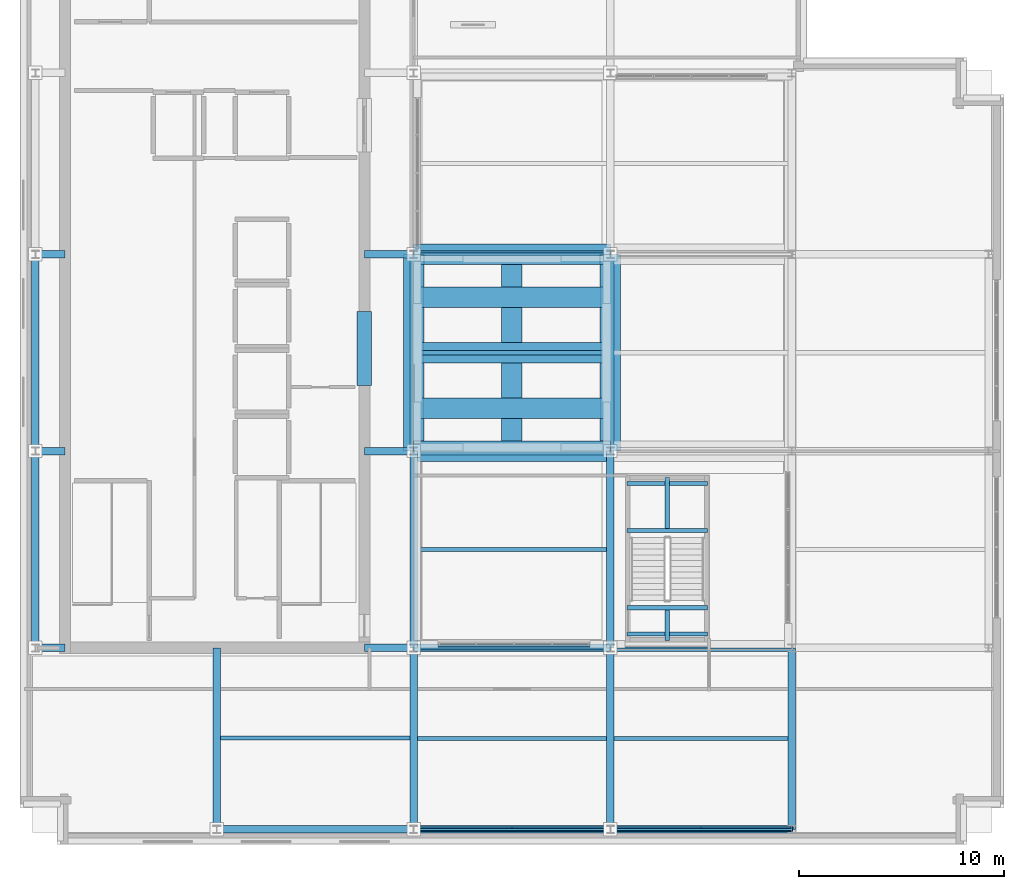
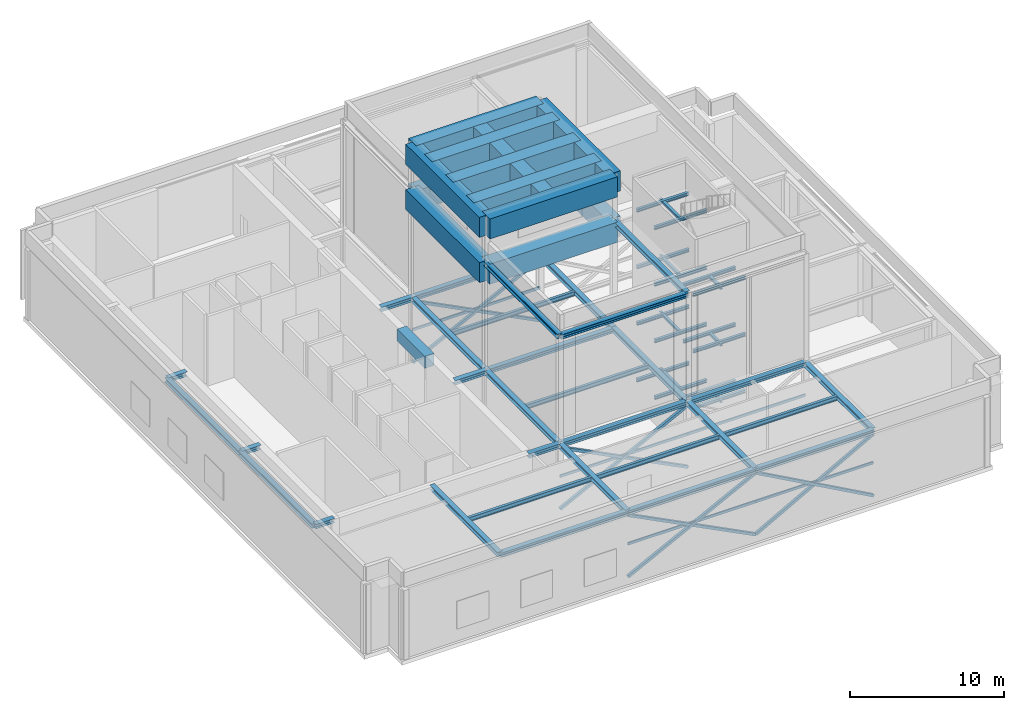
# One storey, part 3 of 17: 65 beams, 13 members.
"""IFC4 building model written with IfcOpenShell, lengths in metres."""

from ifc_helpers import new_model, si_unit, direction, frame, origin, origin_2d, place, context, subcontext, project, spatial, rectangle, hollow_rectangle, i_section, extrude, material, material_profile, profile_set, type_object, element, save


model = new_model("IFC4")

# Units and contexts
model_context = context("Model", 3, precision=1e-05, world=origin(), true_north=direction((0.0, 1.0)))
body_context = subcontext(model_context, "Body", "Model", "MODEL_VIEW")
ifc_project = project(units=[si_unit("LENGTHUNIT", "METRE"), si_unit("AREAUNIT", "SQUARE_METRE"), si_unit("VOLUMEUNIT", "CUBIC_METRE"), si_unit("PLANEANGLEUNIT", "RADIAN"), si_unit("MASSUNIT", "GRAM", prefix="KILO")], contexts=[model_context])

# Site, building, storey
site_placement = place(None, origin())
site = spatial("IfcSite", under=ifc_project, at=site_placement, CompositionType="ELEMENT")
building_placement = place(site_placement, origin())
building = spatial("IfcBuilding", under=site, at=building_placement, Name="Norrvale University Quadrangle", CompositionType="ELEMENT")
storey_placement = place(building_placement, frame((0.0, 0.0, 308.0)))
storey = spatial("IfcBuildingStorey", under=building, at=storey_placement, Name="L78", CompositionType="ELEMENT", Elevation=308.0)

# Beams
ifc_material_1 = material(Name="Concrete C80/95", Category="concrete")
ifc_material_profile_1 = material_profile(ifc_material_1, rectangle(XDim=0.699951171875, YDim=0.949951171875, at=origin_2d()), Name="Concrete C80/95")
ifc_profile_set_1 = profile_set([ifc_material_profile_1], Name="Concrete C80/95")
beam_type_1 = type_object("IfcBeamType", Name="Beam Core Link 700x950", PredefinedType="LINTEL", material=ifc_profile_set_1)
beam_1_placement = place(storey_placement, frame((16.800048828125, 22.39990234375, 5.044921875), z_axis=(0.0, 1.0, 0.0), x_axis=(-1.0, 0.0, 0.0)))
element("IfcBeam", 1, at=beam_1_placement, inside=storey, type_object=beam_type_1, Name="Core Coupling Lintel Beam L78-1", PredefinedType="LINTEL", context=body_context, shape_type="SweptSolid", body=[
    extrude(rectangle(XDim=0.699951171875, YDim=0.949951171875, at=origin_2d()), origin(), (0.0, 0.0, 1.0), 3.60009765625),
])
ifc_material_2 = material(Name="Steel 350W", Category="steel")
ifc_material_profile_2 = material_profile(ifc_material_2, i_section(OverallWidth=0.368896484375, OverallDepth=0.35595703125, WebThickness=0.01123046875, FlangeThickness=0.01806640625, FilletRadius=0.014892578125, at=origin_2d()), Name="Steel 350W")
ifc_profile_set_2 = profile_set([ifc_material_profile_2], Name="Steel 350W")
beam_type_2 = type_object("IfcBeamType", Name="Beam Crown W360x134", PredefinedType="BEAM", material=ifc_profile_set_2)
beam_2_placement = place(storey_placement, frame((9.60009765625, 0.75, 5.342041015625), z_axis=(1.0, 0.0, 0.0), x_axis=(0.0, 1.0, 0.0)))
element("IfcBeam", 2, at=beam_2_placement, inside=storey, type_object=beam_type_2, Name="Beam Crown W360x134 BM-L78-GX001", PredefinedType="BEAM", context=body_context, shape_type="SweptSolid", body=[
    extrude(i_section(OverallWidth=0.368896484375, OverallDepth=0.35595703125, WebThickness=0.01123046875, FlangeThickness=0.01806640625, FilletRadius=0.014892578125, at=origin_2d()), origin(), (0.0, 0.0, 1.0), 9.599853515625),
])
beam_3_placement = place(storey_placement, frame((19.199951171875, 0.75, 5.342041015625), z_axis=(1.0, 0.0, 0.0), x_axis=(0.0, 1.0, 0.0)))
element("IfcBeam", 3, at=beam_3_placement, inside=storey, type_object=beam_type_2, Name="Beam Crown W360x134 BM-L78-GX002", PredefinedType="BEAM", context=body_context, shape_type="SweptSolid", body=[
    extrude(i_section(OverallWidth=0.368896484375, OverallDepth=0.35595703125, WebThickness=0.01123046875, FlangeThickness=0.01806640625, FilletRadius=0.014892578125, at=origin_2d()), origin(), (0.0, 0.0, 1.0), 9.60009765625),
])
beam_4_placement = place(storey_placement, frame((28.800048828125, 0.75, 5.342041015625), z_axis=(1.0, 0.0, 0.0), x_axis=(0.0, 1.0, 0.0)))
element("IfcBeam", 4, at=beam_4_placement, inside=storey, type_object=beam_type_2, Name="Beam Crown W360x134 BM-L78-GX003", PredefinedType="BEAM", context=body_context, shape_type="SweptSolid", body=[
    extrude(i_section(OverallWidth=0.368896484375, OverallDepth=0.35595703125, WebThickness=0.01123046875, FlangeThickness=0.01806640625, FilletRadius=0.014892578125, at=origin_2d()), origin(), (0.0, 0.0, 1.0), 8.849853515625),
])
beam_5_placement = place(storey_placement, frame((19.199951171875, 9.60009765625, 5.342041015625), z_axis=(1.0, 0.0, 0.0), x_axis=(0.0, 1.0, 0.0)))
element("IfcBeam", 5, at=beam_5_placement, inside=storey, type_object=beam_type_2, Name="Beam Crown W360x134 BM-L78-GX004", PredefinedType="BEAM", context=body_context, shape_type="SweptSolid", body=[
    extrude(i_section(OverallWidth=0.368896484375, OverallDepth=0.35595703125, WebThickness=0.01123046875, FlangeThickness=0.01806640625, FilletRadius=0.014892578125, at=origin_2d()), origin(), (0.0, 0.0, 1.0), 9.60009765625),
])
beam_6_placement = place(storey_placement, frame((28.800048828125, 9.60009765625, 5.342041015625), z_axis=(1.0, 0.0, 0.0), x_axis=(0.0, 1.0, 0.0)))
element("IfcBeam", 6, at=beam_6_placement, inside=storey, type_object=beam_type_2, Name="Beam Crown W360x134 BM-L78-GX005", PredefinedType="BEAM", context=body_context, shape_type="SweptSolid", body=[
    extrude(i_section(OverallWidth=0.368896484375, OverallDepth=0.35595703125, WebThickness=0.01123046875, FlangeThickness=0.01806640625, FilletRadius=0.014892578125, at=origin_2d()), origin(), (0.0, 0.0, 1.0), 8.849853515625),
])
for number, where, z_axis, x_axis, name in (
    (7, (19.199951171875, 19.199951171875, 5.342041015625), (1.0, 0.0, 0.0), (0.0, 1.0, 0.0), "Beam Crown W360x134 BM-L78-GX007"),
    (8, (19.199951171875, 28.800048828125, 5.342041015625), (1.0, 0.0, 0.0), (0.0, 1.0, 0.0), "Beam Crown W360x134 BM-L78-GX010"),
):
    element("IfcBeam", number, at=place(storey_placement, frame(where, z_axis=z_axis, x_axis=x_axis)), inside=storey, type_object=beam_type_2, Name=name, PredefinedType="BEAM", context=body_context, shape_type="SweptSolid", body=[
        extrude(i_section(OverallWidth=0.368896484375, OverallDepth=0.35595703125, WebThickness=0.01123046875, FlangeThickness=0.01806640625, FilletRadius=0.014892578125, at=origin_2d()), origin(), (0.0, 0.0, 1.0), 9.60009765625),
    ])
beam_7_placement = place(storey_placement, frame((0.75, 9.60009765625, 5.342041015625), z_axis=(0.0, 1.0, 0.0), x_axis=(-1.0, 0.0, 0.0)))
element("IfcBeam", 9, at=beam_7_placement, inside=storey, type_object=beam_type_2, Name="Beam Crown W360x134 BM-L78-GY016", PredefinedType="BEAM", context=body_context, shape_type="SweptSolid", body=[
    extrude(i_section(OverallWidth=0.368896484375, OverallDepth=0.35595703125, WebThickness=0.01123046875, FlangeThickness=0.01806640625, FilletRadius=0.014892578125, at=origin_2d()), origin(), (0.0, 0.0, 1.0), 9.599853515625),
])
beam_8_placement = place(storey_placement, frame((0.75, 19.199951171875, 5.342041015625), z_axis=(0.0, 1.0, 0.0), x_axis=(-1.0, 0.0, 0.0)))
element("IfcBeam", 10, at=beam_8_placement, inside=storey, type_object=beam_type_2, Name="Beam Crown W360x134 BM-L78-GY017", PredefinedType="BEAM", context=body_context, shape_type="SweptSolid", body=[
    extrude(i_section(OverallWidth=0.368896484375, OverallDepth=0.35595703125, WebThickness=0.01123046875, FlangeThickness=0.01806640625, FilletRadius=0.014892578125, at=origin_2d()), origin(), (0.0, 0.0, 1.0), 9.60009765625),
])
beam_9_placement = place(storey_placement, frame((19.199951171875, 0.75, 5.342041015625), z_axis=(0.0, 1.0, 0.0), x_axis=(-1.0, 0.0, 0.0)))
element("IfcBeam", 11, at=beam_9_placement, inside=storey, type_object=beam_type_2, Name="Beam Crown W360x134 BM-L78-GY019", PredefinedType="BEAM", context=body_context, shape_type="SweptSolid", body=[
    extrude(i_section(OverallWidth=0.368896484375, OverallDepth=0.35595703125, WebThickness=0.01123046875, FlangeThickness=0.01806640625, FilletRadius=0.014892578125, at=origin_2d()), origin(), (0.0, 0.0, 1.0), 8.85009765625),
])
beam_10_placement = place(storey_placement, frame((19.199951171875, 9.60009765625, 5.342041015625), z_axis=(0.0, 1.0, 0.0), x_axis=(-1.0, 0.0, 0.0)))
element("IfcBeam", 12, at=beam_10_placement, inside=storey, type_object=beam_type_2, Name="Beam Crown W360x134 BM-L78-GY020", PredefinedType="BEAM", context=body_context, shape_type="SweptSolid", body=[
    extrude(i_section(OverallWidth=0.368896484375, OverallDepth=0.35595703125, WebThickness=0.01123046875, FlangeThickness=0.01806640625, FilletRadius=0.014892578125, at=origin_2d()), origin(), (0.0, 0.0, 1.0), 9.599853515625),
])
beam_11_placement = place(storey_placement, frame((19.199951171875, 19.199951171875, 5.342041015625), z_axis=(0.0, 1.0, 0.0), x_axis=(-1.0, 0.0, 0.0)))
element("IfcBeam", 13, at=beam_11_placement, inside=storey, type_object=beam_type_2, Name="Beam Crown W360x134 BM-L78-GY021", PredefinedType="BEAM", context=body_context, shape_type="SweptSolid", body=[
    extrude(i_section(OverallWidth=0.368896484375, OverallDepth=0.35595703125, WebThickness=0.01123046875, FlangeThickness=0.01806640625, FilletRadius=0.014892578125, at=origin_2d()), origin(), (0.0, 0.0, 1.0), 9.60009765625),
])
beam_12_placement = place(storey_placement, frame((28.800048828125, 0.75, 5.342041015625), z_axis=(0.0, 1.0, 0.0), x_axis=(-1.0, 0.0, 0.0)))
element("IfcBeam", 14, at=beam_12_placement, inside=storey, type_object=beam_type_2, Name="Beam Crown W360x134 BM-L78-GY024", PredefinedType="BEAM", context=body_context, shape_type="SweptSolid", body=[
    extrude(i_section(OverallWidth=0.368896484375, OverallDepth=0.35595703125, WebThickness=0.01123046875, FlangeThickness=0.01806640625, FilletRadius=0.014892578125, at=origin_2d()), origin(), (0.0, 0.0, 1.0), 8.85009765625),
])
beam_13_placement = place(storey_placement, frame((28.800048828125, 9.60009765625, 5.342041015625), z_axis=(0.0, 1.0, 0.0), x_axis=(-1.0, 0.0, 0.0)))
element("IfcBeam", 15, at=beam_13_placement, inside=storey, type_object=beam_type_2, Name="Beam Crown W360x134 BM-L78-GY025", PredefinedType="BEAM", context=body_context, shape_type="SweptSolid", body=[
    extrude(i_section(OverallWidth=0.368896484375, OverallDepth=0.35595703125, WebThickness=0.01123046875, FlangeThickness=0.01806640625, FilletRadius=0.014892578125, at=origin_2d()), origin(), (0.0, 0.0, 1.0), 9.599853515625),
])
beam_14_placement = place(storey_placement, frame((28.800048828125, 19.199951171875, 5.342041015625), z_axis=(0.0, 1.0, 0.0), x_axis=(-1.0, 0.0, 0.0)))
element("IfcBeam", 16, at=beam_14_placement, inside=storey, type_object=beam_type_2, Name="Beam Crown W360x134 BM-L78-GY026", PredefinedType="BEAM", context=body_context, shape_type="SweptSolid", body=[
    extrude(i_section(OverallWidth=0.368896484375, OverallDepth=0.35595703125, WebThickness=0.01123046875, FlangeThickness=0.01806640625, FilletRadius=0.014892578125, at=origin_2d()), origin(), (0.0, 0.0, 1.0), 9.60009765625),
])
beam_15_placement = place(storey_placement, frame((37.64990234375, 0.75, 5.342041015625), z_axis=(0.0, 1.0, 0.0), x_axis=(-1.0, 0.0, 0.0)))
element("IfcBeam", 17, at=beam_15_placement, inside=storey, type_object=beam_type_2, Name="Beam Crown W360x134 BM-L78-GY029", PredefinedType="BEAM", context=body_context, shape_type="SweptSolid", body=[
    extrude(i_section(OverallWidth=0.368896484375, OverallDepth=0.35595703125, WebThickness=0.01123046875, FlangeThickness=0.01806640625, FilletRadius=0.014892578125, at=origin_2d()), origin(), (0.0, 0.0, 1.0), 8.85009765625),
])
beam_16_placement = place(storey_placement, frame((0.75, 9.60009765625, 5.342041015625), z_axis=(1.0, 0.0, 0.0), x_axis=(0.0, 1.0, 0.0)))
element("IfcBeam", 18, at=beam_16_placement, inside=storey, type_object=beam_type_2, Name="Beam Crown W360x134 BM-L78-GCW035", PredefinedType="BEAM", context=body_context, shape_type="SweptSolid", body=[
    extrude(i_section(OverallWidth=0.368896484375, OverallDepth=0.35595703125, WebThickness=0.01123046875, FlangeThickness=0.01806640625, FilletRadius=0.014892578125, at=origin_2d()), origin(), (0.0, 0.0, 1.0), 1.449951171875),
])
beam_17_placement = place(storey_placement, frame((16.800048828125, 9.60009765625, 5.342041015625), z_axis=(1.0, 0.0, 0.0), x_axis=(0.0, 1.0, 0.0)))
element("IfcBeam", 19, at=beam_17_placement, inside=storey, type_object=beam_type_2, Name="Beam Crown W360x134 BM-L78-GCE036", PredefinedType="BEAM", context=body_context, shape_type="SweptSolid", body=[
    extrude(i_section(OverallWidth=0.368896484375, OverallDepth=0.35595703125, WebThickness=0.01123046875, FlangeThickness=0.01806640625, FilletRadius=0.014892578125, at=origin_2d()), origin(), (0.0, 0.0, 1.0), 2.39990234375),
])
beam_18_placement = place(storey_placement, frame((0.75, 19.199951171875, 5.342041015625), z_axis=(1.0, 0.0, 0.0), x_axis=(0.0, 1.0, 0.0)))
element("IfcBeam", 20, at=beam_18_placement, inside=storey, type_object=beam_type_2, Name="Beam Crown W360x134 BM-L78-GCW037", PredefinedType="BEAM", context=body_context, shape_type="SweptSolid", body=[
    extrude(i_section(OverallWidth=0.368896484375, OverallDepth=0.35595703125, WebThickness=0.01123046875, FlangeThickness=0.01806640625, FilletRadius=0.014892578125, at=origin_2d()), origin(), (0.0, 0.0, 1.0), 1.449951171875),
])
beam_19_placement = place(storey_placement, frame((16.800048828125, 19.199951171875, 5.342041015625), z_axis=(1.0, 0.0, 0.0), x_axis=(0.0, 1.0, 0.0)))
element("IfcBeam", 21, at=beam_19_placement, inside=storey, type_object=beam_type_2, Name="Beam Crown W360x134 BM-L78-GCE038", PredefinedType="BEAM", context=body_context, shape_type="SweptSolid", body=[
    extrude(i_section(OverallWidth=0.368896484375, OverallDepth=0.35595703125, WebThickness=0.01123046875, FlangeThickness=0.01806640625, FilletRadius=0.014892578125, at=origin_2d()), origin(), (0.0, 0.0, 1.0), 2.39990234375),
])
beam_20_placement = place(storey_placement, frame((0.75, 28.800048828125, 5.342041015625), z_axis=(1.0, 0.0, 0.0), x_axis=(0.0, 1.0, 0.0)))
element("IfcBeam", 22, at=beam_20_placement, inside=storey, type_object=beam_type_2, Name="Beam Crown W360x134 BM-L78-GCW039", PredefinedType="BEAM", context=body_context, shape_type="SweptSolid", body=[
    extrude(i_section(OverallWidth=0.368896484375, OverallDepth=0.35595703125, WebThickness=0.01123046875, FlangeThickness=0.01806640625, FilletRadius=0.014892578125, at=origin_2d()), origin(), (0.0, 0.0, 1.0), 1.449951171875),
])
beam_21_placement = place(storey_placement, frame((16.800048828125, 28.800048828125, 5.342041015625), z_axis=(1.0, 0.0, 0.0), x_axis=(0.0, 1.0, 0.0)))
element("IfcBeam", 23, at=beam_21_placement, inside=storey, type_object=beam_type_2, Name="Beam Crown W360x134 BM-L78-GCE040", PredefinedType="BEAM", context=body_context, shape_type="SweptSolid", body=[
    extrude(i_section(OverallWidth=0.368896484375, OverallDepth=0.35595703125, WebThickness=0.01123046875, FlangeThickness=0.01806640625, FilletRadius=0.014892578125, at=origin_2d()), origin(), (0.0, 0.0, 1.0), 2.39990234375),
])
beam_22_placement = place(storey_placement, frame((9.60009765625, 0.75, 5.342041015625), z_axis=(0.0, 1.0, 0.0), x_axis=(-1.0, 0.0, 0.0)))
element("IfcBeam", 24, at=beam_22_placement, inside=storey, type_object=beam_type_2, Name="Beam Crown W360x134 BM-L78-GCS054", PredefinedType="BEAM", context=body_context, shape_type="SweptSolid", body=[
    extrude(i_section(OverallWidth=0.368896484375, OverallDepth=0.35595703125, WebThickness=0.01123046875, FlangeThickness=0.01806640625, FilletRadius=0.014892578125, at=origin_2d()), origin(), (0.0, 0.0, 1.0), 8.85009765625),
])
beam_23_placement = place(storey_placement, frame((19.199951171875, 9.60009765625, 13.94189453125), z_axis=(1.0, 0.0, 0.0), x_axis=(0.0, 1.0, 0.0)))
element("IfcBeam", 25, at=beam_23_placement, inside=storey, type_object=beam_type_2, Name="Crown Lantern Roof Girder X01", PredefinedType="BEAM", context=body_context, shape_type="SweptSolid", body=[
    extrude(i_section(OverallWidth=0.368896484375, OverallDepth=0.35595703125, WebThickness=0.01123046875, FlangeThickness=0.01806640625, FilletRadius=0.014892578125, at=origin_2d()), origin(), (0.0, 0.0, 1.0), 9.60009765625),
])
for number, where, z_axis, x_axis, name in (
    (26, (19.199951171875, 9.60009765625, 13.94189453125), (0.0, 1.0, 0.0), (-1.0, 0.0, 0.0), "Crown Lantern Roof Girder Y09"),
    (27, (28.800048828125, 9.60009765625, 13.94189453125), (0.0, 1.0, 0.0), (-1.0, 0.0, 0.0), "Crown Lantern Roof Girder Y12"),
):
    element("IfcBeam", number, at=place(storey_placement, frame(where, z_axis=z_axis, x_axis=x_axis)), inside=storey, type_object=beam_type_2, Name=name, PredefinedType="BEAM", context=body_context, shape_type="SweptSolid", body=[
        extrude(i_section(OverallWidth=0.368896484375, OverallDepth=0.35595703125, WebThickness=0.01123046875, FlangeThickness=0.01806640625, FilletRadius=0.014892578125, at=origin_2d()), origin(), (0.0, 0.0, 1.0), 9.599853515625),
    ])
ifc_material_profile_3 = material_profile(ifc_material_2, i_section(OverallWidth=0.205078125, OverallDepth=0.35400390625, WebThickness=0.009521484375, FlangeThickness=0.016845703125, FilletRadius=0.011962890625, at=origin_2d()), Name="Steel 350W")
ifc_profile_set_3 = profile_set([ifc_material_profile_3], Name="Steel 350W")
beam_type_3 = type_object("IfcBeamType", Name="Beam Crown W360x79", PredefinedType="BEAM", material=ifc_profile_set_3)
for number, where, z_axis, x_axis, name in (
    (28, (19.384521484375, 5.175048828125, 5.343017578125), (1.0, 0.0, 0.0), (0.0, 1.0, 0.0), "Beam Crown W360x79 BM-L78-J044"),
    (29, (19.384521484375, 14.39990234375, 5.343017578125), (1.0, 0.0, 0.0), (0.0, 1.0, 0.0), "Beam Crown W360x79 BM-L78-J045"),
    (30, (19.384521484375, 24.0, 5.343017578125), (1.0, 0.0, 0.0), (0.0, 1.0, 0.0), "Beam Crown W360x79 BM-L78-J046"),
):
    element("IfcBeam", number, at=place(storey_placement, frame(where, z_axis=z_axis, x_axis=x_axis)), inside=storey, type_object=beam_type_3, Name=name, PredefinedType="BEAM", context=body_context, shape_type="SweptSolid", body=[
        extrude(i_section(OverallWidth=0.205078125, OverallDepth=0.35400390625, WebThickness=0.009521484375, FlangeThickness=0.016845703125, FilletRadius=0.011962890625, at=origin_2d()), origin(), (0.0, 0.0, 1.0), 9.23095703125),
    ])
beam_24_placement = place(storey_placement, frame((28.984619140625, 5.175048828125, 5.343017578125), z_axis=(1.0, 0.0, 0.0), x_axis=(0.0, 1.0, 0.0)))
element("IfcBeam", 31, at=beam_24_placement, inside=storey, type_object=beam_type_3, Name="Beam Crown W360x79 BM-L78-J049", PredefinedType="BEAM", context=body_context, shape_type="SweptSolid", body=[
    extrude(i_section(OverallWidth=0.205078125, OverallDepth=0.35400390625, WebThickness=0.009521484375, FlangeThickness=0.016845703125, FilletRadius=0.011962890625, at=origin_2d()), origin(), (0.0, 0.0, 1.0), 8.48095703125),
])
beam_25_placement = place(storey_placement, frame((9.784423828125, 5.199951171875, 5.343017578125), z_axis=(1.0, 0.0, 0.0), x_axis=(0.0, 1.0, 0.0)))
element("IfcBeam", 32, at=beam_25_placement, inside=storey, type_object=beam_type_3, Name="Beam Crown W360x79 BM-L78-JCS055", PredefinedType="BEAM", context=body_context, shape_type="SweptSolid", body=[
    extrude(i_section(OverallWidth=0.205078125, OverallDepth=0.35400390625, WebThickness=0.009521484375, FlangeThickness=0.016845703125, FilletRadius=0.011962890625, at=origin_2d()), origin(), (0.0, 0.0, 1.0), 9.23095703125),
])
ifc_material_profile_4 = material_profile(ifc_material_2, i_section(OverallWidth=0.201904296875, OverallDepth=0.2470703125, WebThickness=0.00732421875, FlangeThickness=0.010986328125, FilletRadius=0.011962890625, at=origin_2d()), Name="Steel 350W")
ifc_profile_set_4 = profile_set([ifc_material_profile_4], Name="Steel 350W")
beam_type_4 = type_object("IfcBeamType", Name="Beam Stair W250x49", PredefinedType="BEAM", material=ifc_profile_set_4)
for number, where, z_axis, x_axis, name in (
    (33, (29.610107421875, 15.320068359375, 1.926513671875), (1.0, 0.0, 0.0), (0.0, 1.0, 0.0), "Crown Stair Landing 1 Beam A ST-04"),
    (34, (29.610107421875, 17.6201171875, 1.926513671875), (1.0, 0.0, 0.0), (0.0, 1.0, 0.0), "Crown Stair Landing 1 Beam B ST-04"),
    (35, (29.610107421875, 10.280029296875, 4.176513671875), (1.0, 0.0, 0.0), (0.0, 1.0, 0.0), "Crown Stair Landing 2 Beam A ST-04"),
    (36, (29.610107421875, 11.56005859375, 4.176513671875), (1.0, 0.0, 0.0), (0.0, 1.0, 0.0), "Crown Stair Landing 2 Beam B ST-04"),
    (37, (29.610107421875, 15.320068359375, 6.426513671875), (1.0, 0.0, 0.0), (0.0, 1.0, 0.0), "Crown Stair Landing 3 Beam A ST-04"),
    (38, (29.610107421875, 17.6201171875, 6.426513671875), (1.0, 0.0, 0.0), (0.0, 1.0, 0.0), "Crown Stair Landing 3 Beam B ST-04"),
    (39, (29.610107421875, 10.280029296875, 8.676513671875), (1.0, 0.0, 0.0), (0.0, 1.0, 0.0), "Crown Stair Landing 4 Beam A ST-04"),
    (40, (29.610107421875, 11.56005859375, 8.676513671875), (1.0, 0.0, 0.0), (0.0, 1.0, 0.0), "Crown Stair Landing 4 Beam B ST-04"),
    (41, (29.610107421875, 15.320068359375, 10.926513671875), (1.0, 0.0, 0.0), (0.0, 1.0, 0.0), "Crown Stair Landing 5 Beam A ST-04"),
    (42, (29.610107421875, 17.6201171875, 10.926513671875), (1.0, 0.0, 0.0), (0.0, 1.0, 0.0), "Crown Stair Landing 5 Beam B ST-04"),
    (43, (29.610107421875, 10.280029296875, 13.176513671875), (1.0, 0.0, 0.0), (0.0, 1.0, 0.0), "Crown Stair Landing 6 Beam A ST-04"),
    (44, (29.610107421875, 11.56005859375, 13.176513671875), (1.0, 0.0, 0.0), (0.0, 1.0, 0.0), "Crown Stair Landing 6 Beam B ST-04"),
    (45, (29.610107421875, 15.320068359375, 15.426513671875), (1.0, 0.0, 0.0), (0.0, 1.0, 0.0), "Crown Stair Landing 7 Beam A ST-04"),
    (46, (29.610107421875, 17.6201171875, 15.426513671875), (1.0, 0.0, 0.0), (0.0, 1.0, 0.0), "Crown Stair Landing 7 Beam B ST-04"),
):
    element("IfcBeam", number, at=place(storey_placement, frame(where, z_axis=z_axis, x_axis=x_axis)), inside=storey, type_object=beam_type_4, Name=name, PredefinedType="BEAM", context=body_context, shape_type="SweptSolid", body=[
        extrude(i_section(OverallWidth=0.201904296875, OverallDepth=0.2470703125, WebThickness=0.00732421875, FlangeThickness=0.010986328125, FilletRadius=0.011962890625, at=origin_2d()), origin(), (0.0, 0.0, 1.0), 3.929931640625),
    ])
ifc_material_profile_5 = material_profile(ifc_material_1, rectangle(XDim=1.0, YDim=1.60009765625, at=origin_2d()), Name="Concrete C80/95")
ifc_profile_set_5 = profile_set([ifc_material_profile_5], Name="Concrete C80/95")
beam_type_5 = type_object("IfcBeamType", Name="Beam Transfer 1000x1600", PredefinedType="USERDEFINED", material=ifc_profile_set_5)
for number, where, z_axis, x_axis, name in (
    (47, (19.199951171875, 19.199951171875, 13.320068359375), (1.0, 0.0, 0.0), (0.0, 1.0, 0.0), "Crown Lantern Roof Girder X03"),
    (48, (19.199951171875, 28.800048828125, 13.320068359375), (1.0, 0.0, 0.0), (0.0, 1.0, 0.0), "Crown Lantern Roof Girder X05"),
    (49, (19.199951171875, 19.199951171875, 13.320068359375), (0.0, 1.0, 0.0), (-1.0, 0.0, 0.0), "Crown Lantern Roof Girder Y10"),
    (50, (28.800048828125, 19.199951171875, 13.320068359375), (0.0, 1.0, 0.0), (-1.0, 0.0, 0.0), "Crown Lantern Roof Girder Y13"),
    (51, (19.199951171875, 19.199951171875, 16.919921875), (1.0, 0.0, 0.0), (0.0, 1.0, 0.0), "Crown Plinth Ring Transfer Girder 1"),
    (52, (28.800048828125, 19.199951171875, 16.919921875), (0.0, 1.0, 0.0), (-1.0, 0.0, 0.0), "Crown Plinth Ring Transfer Girder 2"),
    (53, (28.800048828125, 28.800048828125, 16.919921875), (-1.0, 0.0, 0.0), (0.0, -1.0, 0.0), "Crown Plinth Ring Transfer Girder 3"),
    (54, (19.199951171875, 28.800048828125, 16.919921875), (0.0, -1.0, 0.0), (1.0, 0.0, 0.0), "Crown Plinth Ring Transfer Girder 4"),
    (55, (19.199951171875, 24.0, 16.919921875), (1.0, 0.0, 0.0), (0.0, 1.0, 0.0), "Spire Central Transfer Girder X"),
    (56, (24.0, 19.199951171875, 16.919921875), (0.0, 1.0, 0.0), (-1.0, 0.0, 0.0), "Spire Central Transfer Girder Y"),
    (57, (19.199951171875, 21.300048828125, 16.919921875), (1.0, 0.0, 0.0), (0.0, 1.0, 0.0), "Spire Pylon Transfer Girder 1"),
    (58, (19.199951171875, 26.699951171875, 16.919921875), (1.0, 0.0, 0.0), (0.0, 1.0, 0.0), "Spire Pylon Transfer Girder 2"),
):
    element("IfcBeam", number, at=place(storey_placement, frame(where, z_axis=z_axis, x_axis=x_axis)), inside=storey, type_object=beam_type_5, Name=name, ObjectType="TRANSFER GIRDER", PredefinedType="USERDEFINED", context=body_context, shape_type="SweptSolid", body=[
        extrude(rectangle(XDim=1.0, YDim=1.60009765625, at=origin_2d()), origin(), (0.0, 0.0, 1.0), 9.60009765625),
    ])
ifc_material_profile_6 = material_profile(ifc_material_2, i_section(OverallWidth=0.202880859375, OverallDepth=0.202880859375, WebThickness=0.007080078125, FlangeThickness=0.010986328125, FilletRadius=0.010009765625, at=origin_2d()), Name="Steel 350W")
ifc_profile_set_6 = profile_set([ifc_material_profile_6], Name="Steel 350W")
beam_type_6 = type_object("IfcBeamType", Name="Beam Trim W200x46", PredefinedType="BEAM", material=ifc_profile_set_6)
beam_26_placement = place(storey_placement, frame((31.574951171875, 15.425048828125, 1.948486328125), z_axis=(0.0, 1.0, 0.0), x_axis=(-1.0, 0.0, 0.0)))
element("IfcBeam", 59, at=beam_26_placement, inside=storey, type_object=beam_type_6, Name="Crown Stair Landing 1 Cross Beam ST-04", PredefinedType="BEAM", context=body_context, shape_type="SweptSolid", body=[
    extrude(i_section(OverallWidth=0.202880859375, OverallDepth=0.202880859375, WebThickness=0.007080078125, FlangeThickness=0.010986328125, FilletRadius=0.010009765625, at=origin_2d()), origin(), (0.0, 0.0, 1.0), 2.514892578125),
])
beam_27_placement = place(storey_placement, frame((31.574951171875, 9.9599609375, 4.198486328125), z_axis=(0.0, 1.0, 0.0), x_axis=(-1.0, 0.0, 0.0)))
element("IfcBeam", 60, at=beam_27_placement, inside=storey, type_object=beam_type_6, Name="Crown Stair Landing 2 Cross Beam ST-04", PredefinedType="BEAM", context=body_context, shape_type="SweptSolid", body=[
    extrude(i_section(OverallWidth=0.202880859375, OverallDepth=0.202880859375, WebThickness=0.007080078125, FlangeThickness=0.010986328125, FilletRadius=0.010009765625, at=origin_2d()), origin(), (0.0, 0.0, 1.0), 1.4951171875),
])
beam_28_placement = place(storey_placement, frame((31.574951171875, 15.425048828125, 6.448486328125), z_axis=(0.0, 1.0, 0.0), x_axis=(-1.0, 0.0, 0.0)))
element("IfcBeam", 61, at=beam_28_placement, inside=storey, type_object=beam_type_6, Name="Crown Stair Landing 3 Cross Beam ST-04", PredefinedType="BEAM", context=body_context, shape_type="SweptSolid", body=[
    extrude(i_section(OverallWidth=0.202880859375, OverallDepth=0.202880859375, WebThickness=0.007080078125, FlangeThickness=0.010986328125, FilletRadius=0.010009765625, at=origin_2d()), origin(), (0.0, 0.0, 1.0), 2.514892578125),
])
beam_29_placement = place(storey_placement, frame((31.574951171875, 9.9599609375, 8.698486328125), z_axis=(0.0, 1.0, 0.0), x_axis=(-1.0, 0.0, 0.0)))
element("IfcBeam", 62, at=beam_29_placement, inside=storey, type_object=beam_type_6, Name="Crown Stair Landing 4 Cross Beam ST-04", PredefinedType="BEAM", context=body_context, shape_type="SweptSolid", body=[
    extrude(i_section(OverallWidth=0.202880859375, OverallDepth=0.202880859375, WebThickness=0.007080078125, FlangeThickness=0.010986328125, FilletRadius=0.010009765625, at=origin_2d()), origin(), (0.0, 0.0, 1.0), 1.4951171875),
])
beam_30_placement = place(storey_placement, frame((31.574951171875, 15.425048828125, 10.948486328125), z_axis=(0.0, 1.0, 0.0), x_axis=(-1.0, 0.0, 0.0)))
element("IfcBeam", 63, at=beam_30_placement, inside=storey, type_object=beam_type_6, Name="Crown Stair Landing 5 Cross Beam ST-04", PredefinedType="BEAM", context=body_context, shape_type="SweptSolid", body=[
    extrude(i_section(OverallWidth=0.202880859375, OverallDepth=0.202880859375, WebThickness=0.007080078125, FlangeThickness=0.010986328125, FilletRadius=0.010009765625, at=origin_2d()), origin(), (0.0, 0.0, 1.0), 2.514892578125),
])
beam_31_placement = place(storey_placement, frame((31.574951171875, 9.9599609375, 13.198486328125), z_axis=(0.0, 1.0, 0.0), x_axis=(-1.0, 0.0, 0.0)))
element("IfcBeam", 64, at=beam_31_placement, inside=storey, type_object=beam_type_6, Name="Crown Stair Landing 6 Cross Beam ST-04", PredefinedType="BEAM", context=body_context, shape_type="SweptSolid", body=[
    extrude(i_section(OverallWidth=0.202880859375, OverallDepth=0.202880859375, WebThickness=0.007080078125, FlangeThickness=0.010986328125, FilletRadius=0.010009765625, at=origin_2d()), origin(), (0.0, 0.0, 1.0), 1.4951171875),
])
beam_32_placement = place(storey_placement, frame((31.574951171875, 15.425048828125, 15.448486328125), z_axis=(0.0, 1.0, 0.0), x_axis=(-1.0, 0.0, 0.0)))
element("IfcBeam", 65, at=beam_32_placement, inside=storey, type_object=beam_type_6, Name="Crown Stair Landing 7 Cross Beam ST-04", PredefinedType="BEAM", context=body_context, shape_type="SweptSolid", body=[
    extrude(i_section(OverallWidth=0.202880859375, OverallDepth=0.202880859375, WebThickness=0.007080078125, FlangeThickness=0.010986328125, FilletRadius=0.010009765625, at=origin_2d()), origin(), (0.0, 0.0, 1.0), 2.514892578125),
])

# Members
ifc_material_profile_7 = material_profile(ifc_material_2, hollow_rectangle(XDim=0.202880859375, YDim=0.202880859375, WallThickness=0.010009765625, at=origin_2d()), Name="Steel 350W")
ifc_profile_set_7 = profile_set([ifc_material_profile_7], Name="Steel 350W")
member_type_1 = type_object("IfcMemberType", Name="Member Crown Brace HSS203", PredefinedType="BRACE", material=ifc_profile_set_7)
for number, where, z_axis, x_axis, name in (
    (66, (19.199951171875, 0.75, 0.199951171875), (0.890681574353, 0.0, 0.454627686253), (0.0, 1.0, 0.0), "Crown Lateral Brace 1.1A"),
    (67, (28.800048828125, 0.75, 0.199951171875), (-0.890681574353, 0.0, 0.454627686253), (0.0, -1.0, 0.0), "Crown Counter Brace 1.1B"),
):
    element("IfcMember", number, at=place(storey_placement, frame(where, z_axis=z_axis, x_axis=x_axis)), inside=storey, type_object=member_type_1, Name=name, PredefinedType="BRACE", context=body_context, shape_type="SweptSolid", body=[
        extrude(hollow_rectangle(XDim=0.202880859375, YDim=0.202880859375, WallThickness=0.010009765625, at=origin_2d()), origin(), (0.0, 0.0, 1.0), 10.7783203125),
    ])
for number, where, z_axis, x_axis, name in (
    (68, (28.800048828125, 0.75, 0.199951171875), (0.874846272408, 0.0, 0.484400660253), (0.0, 1.0, 0.0), "Crown Lateral Brace 1.2A"),
    (69, (37.64990234375, 0.75, 0.199951171875), (-0.874846272408, 0.0, 0.484400660253), (0.0, -1.0, 0.0), "Crown Counter Brace 1.2B"),
):
    element("IfcMember", number, at=place(storey_placement, frame(where, z_axis=z_axis, x_axis=x_axis)), inside=storey, type_object=member_type_1, Name=name, PredefinedType="BRACE", context=body_context, shape_type="SweptSolid", body=[
        extrude(hollow_rectangle(XDim=0.202880859375, YDim=0.202880859375, WallThickness=0.010009765625, at=origin_2d()), origin(), (0.0, 0.0, 1.0), 10.115966796875),
    ])
for number, where, z_axis, x_axis, name in (
    (70, (19.199951171875, 9.60009765625, 0.199951171875), (0.890681574353, 0.0, 0.454627686253), (0.0, 1.0, 0.0), "Crown Lateral Brace 2.1A"),
    (71, (28.800048828125, 9.60009765625, 0.199951171875), (-0.890681574353, 0.0, 0.454627686253), (0.0, -1.0, 0.0), "Crown Counter Brace 2.1B"),
    (72, (19.199951171875, 28.800048828125, 0.199951171875), (0.890681574353, 0.0, 0.454627686253), (0.0, 1.0, 0.0), "Crown Lateral Brace 3.1A"),
    (73, (28.800048828125, 28.800048828125, 0.199951171875), (-0.890681574353, 0.0, 0.454627686253), (0.0, -1.0, 0.0), "Crown Counter Brace 3.1B"),
):
    element("IfcMember", number, at=place(storey_placement, frame(where, z_axis=z_axis, x_axis=x_axis)), inside=storey, type_object=member_type_1, Name=name, PredefinedType="BRACE", context=body_context, shape_type="SweptSolid", body=[
        extrude(hollow_rectangle(XDim=0.202880859375, YDim=0.202880859375, WallThickness=0.010009765625, at=origin_2d()), origin(), (0.0, 0.0, 1.0), 10.7783203125),
    ])
ifc_material_profile_8 = material_profile(ifc_material_2, hollow_rectangle(XDim=0.10205078125, YDim=0.202880859375, WallThickness=0.008056640625, at=origin_2d()), Name="Steel 350W")
ifc_profile_set_8 = profile_set([ifc_material_profile_8], Name="Steel 350W")
member_type_2 = type_object("IfcMemberType", Name="Member Girt HSS203x102", PredefinedType="STRINGER", material=ifc_profile_set_8)
member_1_placement = place(storey_placement, frame((19.199951171875, 0.75, 2.800048828125), z_axis=(1.0, 0.0, 0.0), x_axis=(0.0, 1.0, 0.0)))
element("IfcMember", 74, at=member_1_placement, inside=storey, type_object=member_type_2, Name="Crown Enclosure Girt 1.1", PredefinedType="STRINGER", context=body_context, shape_type="SweptSolid", body=[
    extrude(hollow_rectangle(XDim=0.10205078125, YDim=0.202880859375, WallThickness=0.008056640625, at=origin_2d()), origin(), (0.0, 0.0, 1.0), 9.60009765625),
])
member_2_placement = place(storey_placement, frame((28.800048828125, 0.75, 2.800048828125), z_axis=(1.0, 0.0, 0.0), x_axis=(0.0, 1.0, 0.0)))
element("IfcMember", 75, at=member_2_placement, inside=storey, type_object=member_type_2, Name="Crown Enclosure Girt 1.2", PredefinedType="STRINGER", context=body_context, shape_type="SweptSolid", body=[
    extrude(hollow_rectangle(XDim=0.10205078125, YDim=0.202880859375, WallThickness=0.008056640625, at=origin_2d()), origin(), (0.0, 0.0, 1.0), 8.849853515625),
])
member_3_placement = place(storey_placement, frame((19.199951171875, 9.60009765625, 2.800048828125), z_axis=(1.0, 0.0, 0.0), x_axis=(0.0, 1.0, 0.0)))
element("IfcMember", 76, at=member_3_placement, inside=storey, type_object=member_type_2, Name="Crown Enclosure Girt 2.1", PredefinedType="STRINGER", context=body_context, shape_type="SweptSolid", body=[
    extrude(hollow_rectangle(XDim=0.10205078125, YDim=0.202880859375, WallThickness=0.008056640625, at=origin_2d()), origin(), (0.0, 0.0, 1.0), 9.60009765625),
])
member_4_placement = place(storey_placement, frame((28.800048828125, 9.60009765625, 2.800048828125), z_axis=(1.0, 0.0, 0.0), x_axis=(0.0, 1.0, 0.0)))
element("IfcMember", 77, at=member_4_placement, inside=storey, type_object=member_type_2, Name="Crown Enclosure Girt 2.2", PredefinedType="STRINGER", context=body_context, shape_type="SweptSolid", body=[
    extrude(hollow_rectangle(XDim=0.10205078125, YDim=0.202880859375, WallThickness=0.008056640625, at=origin_2d()), origin(), (0.0, 0.0, 1.0), 8.849853515625),
])
member_5_placement = place(storey_placement, frame((19.199951171875, 28.800048828125, 2.800048828125), z_axis=(1.0, 0.0, 0.0), x_axis=(0.0, 1.0, 0.0)))
element("IfcMember", 78, at=member_5_placement, inside=storey, type_object=member_type_2, Name="Crown Enclosure Girt 3.1", PredefinedType="STRINGER", context=body_context, shape_type="SweptSolid", body=[
    extrude(hollow_rectangle(XDim=0.10205078125, YDim=0.202880859375, WallThickness=0.008056640625, at=origin_2d()), origin(), (0.0, 0.0, 1.0), 9.60009765625),
])

save(model, "model.ifc")
